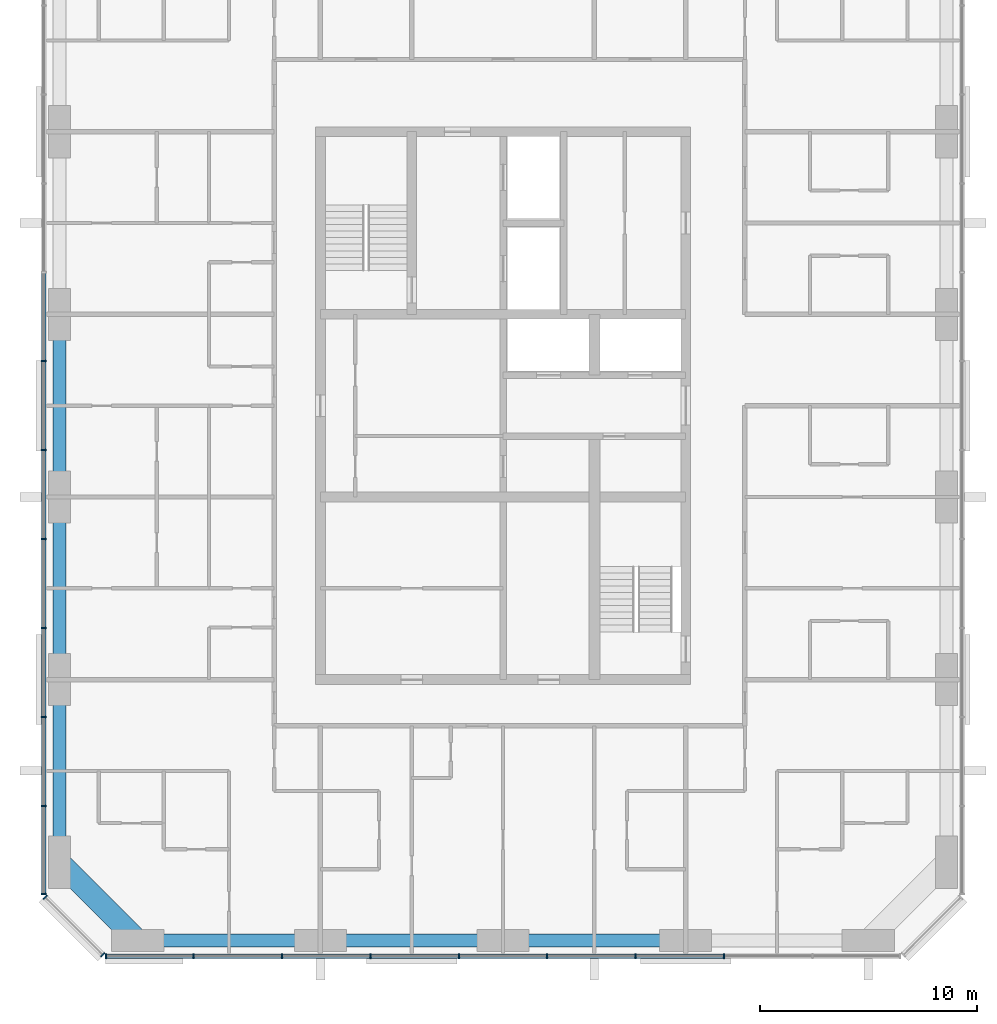
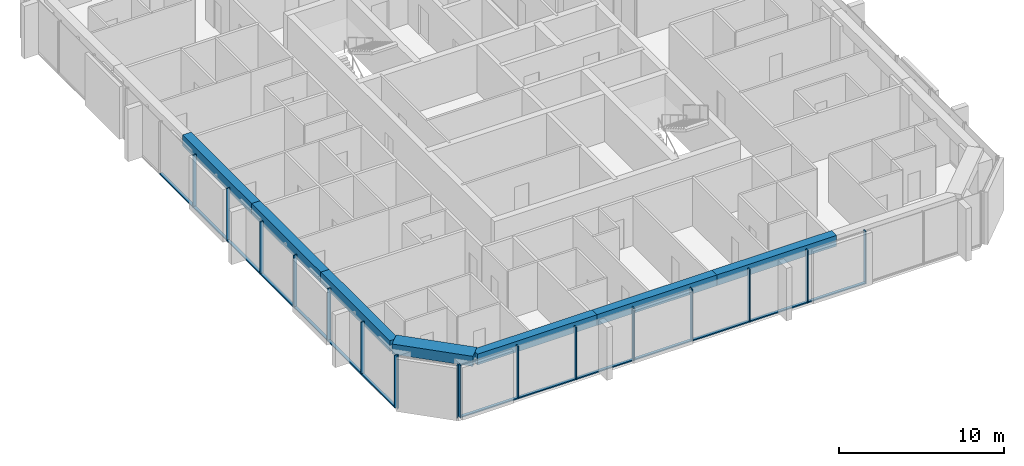
# One storey, part 2 of 12: 31 members, 7 beams, 3 elements without a shape of their own.
"""IFC4 building model written with IfcOpenShell, lengths in metres."""

from ifc_helpers import new_model, si_unit, direction, frame, origin, origin_2d, place, context, subcontext, project, spatial, rectangle, extrude, material, material_profile, profile_set, type_object, element, aggregate, save


model = new_model("IFC4")

# Units and contexts
model_context = context("Model", 3, precision=1e-05, world=origin(), true_north=direction((0.0, 1.0)))
body_context = subcontext(model_context, "Body", "Model", "MODEL_VIEW")
ifc_project = project(units=[si_unit("LENGTHUNIT", "METRE"), si_unit("AREAUNIT", "SQUARE_METRE"), si_unit("VOLUMEUNIT", "CUBIC_METRE"), si_unit("PLANEANGLEUNIT", "RADIAN"), si_unit("MASSUNIT", "GRAM", prefix="KILO")], contexts=[model_context])

# Site, building, storey
site_placement = place(None, origin())
site = spatial("IfcSite", under=ifc_project, at=site_placement, CompositionType="ELEMENT")
building_placement = place(site_placement, origin())
building = spatial("IfcBuilding", under=site, at=building_placement, Name="Dunama Terrace Hotel", CompositionType="ELEMENT")
storey_placement = place(building_placement, frame((0.0, 0.0, 260.699951171875)))
storey = spatial("IfcBuildingStorey", under=building, at=storey_placement, Name="L67", CompositionType="ELEMENT", Elevation=260.699951171875)

# Curtain wall, members
ifc_material_1 = material(Name="Aluminium curtain wall system", Category="aluminium")
curtain_wall_type = type_object("IfcCurtainWallType", Name="Unitised fritted glass wall CW-D", PredefinedType="NOTDEFINED", material=ifc_material_1)
curtain_wall_1_placement = place(storey_placement, origin())
curtain_wall_1 = element("IfcCurtainWall", 1, at=curtain_wall_1_placement, inside=storey, type_object=curtain_wall_type, Name="Unitised fritted glass wall CW-D L67", PredefinedType="NOTDEFINED")
ifc_material_2 = material(Name="Aluminium mullion", Category="aluminium")
ifc_material_profile_1 = material_profile(ifc_material_2, rectangle(XDim=0.070068359375, YDim=0.239990234375, at=origin_2d()), Name="CWD MULLION 70X240")
ifc_profile_set_1 = profile_set([ifc_material_profile_1], Name="Aluminium mullion")
member_type_1 = type_object("IfcMemberType", Name="CWD mullion 70x240", PredefinedType="MULLION", material=ifc_profile_set_1)
member_1_placement = place(storey_placement, frame((15.3349609375, 4.080078125, 0.0), z_axis=(0.0, 0.0, 1.0), x_axis=(1.0, 0.0, 0.0)))
member_1 = element("IfcMember", 2, at=member_1_placement, type_object=member_type_1, Name="CWD mullion", PredefinedType="MULLION", context=body_context, shape_type="SweptSolid", body=[
    extrude(rectangle(XDim=0.070068359375, YDim=0.239990234375, at=origin_2d()), origin(), (0.0, 0.0, 1.0), 3.900146484375),
])
member_2_placement = place(storey_placement, frame((19.366943359375, 4.080078125, 0.0), z_axis=(0.0, 0.0, 1.0), x_axis=(1.0, 0.0, 0.0)))
member_2 = element("IfcMember", 3, at=member_2_placement, type_object=member_type_1, Name="CWD mullion", PredefinedType="MULLION", context=body_context, shape_type="SweptSolid", body=[
    extrude(rectangle(XDim=0.070068359375, YDim=0.239990234375, at=origin_2d()), origin(), (0.0, 0.0, 1.0), 3.900146484375),
])
member_3_placement = place(storey_placement, frame((23.43310546875, 4.080078125, 0.0), z_axis=(0.0, 0.0, 1.0), x_axis=(1.0, 0.0, 0.0)))
member_3 = element("IfcMember", 4, at=member_3_placement, type_object=member_type_1, Name="CWD mullion", PredefinedType="MULLION", context=body_context, shape_type="SweptSolid", body=[
    extrude(rectangle(XDim=0.070068359375, YDim=0.239990234375, at=origin_2d()), origin(), (0.0, 0.0, 1.0), 3.900146484375),
])
member_4_placement = place(storey_placement, frame((27.5, 4.080078125, 0.0), z_axis=(0.0, 0.0, 1.0), x_axis=(1.0, 0.0, 0.0)))
member_4 = element("IfcMember", 5, at=member_4_placement, type_object=member_type_1, Name="CWD mullion", PredefinedType="MULLION", context=body_context, shape_type="SweptSolid", body=[
    extrude(rectangle(XDim=0.070068359375, YDim=0.239990234375, at=origin_2d()), origin(), (0.0, 0.0, 1.0), 3.900146484375),
])
member_5_placement = place(storey_placement, frame((31.56689453125, 4.080078125, 0.0), z_axis=(0.0, 0.0, 1.0), x_axis=(1.0, 0.0, 0.0)))
member_5 = element("IfcMember", 6, at=member_5_placement, type_object=member_type_1, Name="CWD mullion", PredefinedType="MULLION", context=body_context, shape_type="SweptSolid", body=[
    extrude(rectangle(XDim=0.070068359375, YDim=0.239990234375, at=origin_2d()), origin(), (0.0, 0.0, 1.0), 3.900146484375),
])
member_6_placement = place(storey_placement, frame((35.633056640625, 4.080078125, 0.0), z_axis=(0.0, 0.0, 1.0), x_axis=(1.0, 0.0, 0.0)))
member_6 = element("IfcMember", 7, at=member_6_placement, type_object=member_type_1, Name="CWD mullion", PredefinedType="MULLION", context=body_context, shape_type="SweptSolid", body=[
    extrude(rectangle(XDim=0.070068359375, YDim=0.239990234375, at=origin_2d()), origin(), (0.0, 0.0, 1.0), 3.900146484375),
])
member_7_placement = place(storey_placement, frame((39.699951171875, 4.080078125, 0.0), z_axis=(0.0, 0.0, 1.0), x_axis=(1.0, 0.0, 0.0)))
member_7 = element("IfcMember", 8, at=member_7_placement, type_object=member_type_1, Name="CWD mullion", PredefinedType="MULLION", context=body_context, shape_type="SweptSolid", body=[
    extrude(rectangle(XDim=0.070068359375, YDim=0.239990234375, at=origin_2d()), origin(), (0.0, 0.0, 1.0), 3.900146484375),
])
member_8_placement = place(storey_placement, frame((43.76708984375, 4.080078125, 0.0), z_axis=(0.0, 0.0, 1.0), x_axis=(1.0, 0.0, 0.0)))
member_8 = element("IfcMember", 9, at=member_8_placement, type_object=member_type_1, Name="CWD mullion", PredefinedType="MULLION", context=body_context, shape_type="SweptSolid", body=[
    extrude(rectangle(XDim=0.070068359375, YDim=0.239990234375, at=origin_2d()), origin(), (0.0, 0.0, 1.0), 3.900146484375),
])

curtain_wall_2_placement = place(storey_placement, origin())
curtain_wall_2 = element("IfcCurtainWall", 10, at=curtain_wall_2_placement, inside=storey, type_object=curtain_wall_type, Name="Unitised fritted glass wall CW-D L67", PredefinedType="NOTDEFINED")
member_9_placement = place(storey_placement, frame((12.47998046875, 31.445068359375, 0.0), z_axis=(0.0, 0.0, 1.0), x_axis=(0.0, -1.0, 0.0)))
member_9 = element("IfcMember", 11, at=member_9_placement, type_object=member_type_1, Name="CWD mullion", PredefinedType="MULLION", context=body_context, shape_type="SweptSolid", body=[
    extrude(rectangle(XDim=0.070068359375, YDim=0.239990234375, at=origin_2d()), origin(), (0.0, 0.0, 1.0), 3.900146484375),
])
member_10_placement = place(storey_placement, frame((12.47998046875, 27.35498046875, 0.0), z_axis=(0.0, 0.0, 1.0), x_axis=(0.0, -1.0, 0.0)))
member_10 = element("IfcMember", 12, at=member_10_placement, type_object=member_type_1, Name="CWD mullion", PredefinedType="MULLION", context=body_context, shape_type="SweptSolid", body=[
    extrude(rectangle(XDim=0.070068359375, YDim=0.239990234375, at=origin_2d()), origin(), (0.0, 0.0, 1.0), 3.900146484375),
])
member_11_placement = place(storey_placement, frame((12.47998046875, 23.263916015625, 0.0), z_axis=(0.0, 0.0, 1.0), x_axis=(0.0, -1.0, 0.0)))
member_11 = element("IfcMember", 13, at=member_11_placement, type_object=member_type_1, Name="CWD mullion", PredefinedType="MULLION", context=body_context, shape_type="SweptSolid", body=[
    extrude(rectangle(XDim=0.070068359375, YDim=0.239990234375, at=origin_2d()), origin(), (0.0, 0.0, 1.0), 3.900146484375),
])
member_12_placement = place(storey_placement, frame((12.47998046875, 19.173095703125, 0.0), z_axis=(0.0, 0.0, 1.0), x_axis=(0.0, -1.0, 0.0)))
member_12 = element("IfcMember", 14, at=member_12_placement, type_object=member_type_1, Name="CWD mullion", PredefinedType="MULLION", context=body_context, shape_type="SweptSolid", body=[
    extrude(rectangle(XDim=0.070068359375, YDim=0.239990234375, at=origin_2d()), origin(), (0.0, 0.0, 1.0), 3.900146484375),
])
member_13_placement = place(storey_placement, frame((12.47998046875, 15.08203125, 0.0), z_axis=(0.0, 0.0, 1.0), x_axis=(0.0, -1.0, 0.0)))
member_13 = element("IfcMember", 15, at=member_13_placement, type_object=member_type_1, Name="CWD mullion", PredefinedType="MULLION", context=body_context, shape_type="SweptSolid", body=[
    extrude(rectangle(XDim=0.070068359375, YDim=0.239990234375, at=origin_2d()), origin(), (0.0, 0.0, 1.0), 3.900146484375),
])
member_14_placement = place(storey_placement, frame((12.47998046875, 10.990966796875, 0.0), z_axis=(0.0, 0.0, 1.0), x_axis=(0.0, -1.0, 0.0)))
member_14 = element("IfcMember", 16, at=member_14_placement, type_object=member_type_1, Name="CWD mullion", PredefinedType="MULLION", context=body_context, shape_type="SweptSolid", body=[
    extrude(rectangle(XDim=0.070068359375, YDim=0.239990234375, at=origin_2d()), origin(), (0.0, 0.0, 1.0), 3.900146484375),
])
member_15_placement = place(storey_placement, frame((12.47998046875, 6.93505859375, 0.0), z_axis=(0.0, 0.0, 1.0), x_axis=(0.0, -1.0, 0.0)))
member_15 = element("IfcMember", 17, at=member_15_placement, type_object=member_type_1, Name="CWD mullion", PredefinedType="MULLION", context=body_context, shape_type="SweptSolid", body=[
    extrude(rectangle(XDim=0.070068359375, YDim=0.239990234375, at=origin_2d()), origin(), (0.0, 0.0, 1.0), 3.900146484375),
])

curtain_wall_3_placement = place(storey_placement, origin())
curtain_wall_3 = element("IfcCurtainWall", 18, at=curtain_wall_3_placement, inside=storey, type_object=curtain_wall_type, Name="Unitised fritted glass wall CW-D L67", PredefinedType="NOTDEFINED")
member_16_placement = place(storey_placement, frame((12.5400390625, 6.7900390625, 0.0), z_axis=(0.0, 0.0, 1.0), x_axis=(0.707106781187, -0.707106781187, 0.0)))
member_16 = element("IfcMember", 19, at=member_16_placement, type_object=member_type_1, Name="CWD mullion", PredefinedType="MULLION", context=body_context, shape_type="SweptSolid", body=[
    extrude(rectangle(XDim=0.070068359375, YDim=0.239990234375, at=origin_2d()), origin(), (0.0, 0.0, 1.0), 3.900146484375),
])
member_17_placement = place(storey_placement, frame((15.18994140625, 4.139892578125, 0.0), z_axis=(0.0, 0.0, 1.0), x_axis=(0.707106781187, -0.707106781187, 0.0)))
member_17 = element("IfcMember", 20, at=member_17_placement, type_object=member_type_1, Name="CWD mullion", PredefinedType="MULLION", context=body_context, shape_type="SweptSolid", body=[
    extrude(rectangle(XDim=0.070068359375, YDim=0.239990234375, at=origin_2d()), origin(), (0.0, 0.0, 1.0), 3.900146484375),
])
aggregate(curtain_wall_3, [member_16, member_17])

# Member
ifc_material_3 = material(Name="Aluminium transom", Category="aluminium")
ifc_material_profile_2 = material_profile(ifc_material_3, rectangle(XDim=0.199951171875, YDim=0.0849609375, at=origin_2d()), Name="CWD TRANSOM 200X85")
ifc_profile_set_2 = profile_set([ifc_material_profile_2], Name="Aluminium transom")
member_type_2 = type_object("IfcMemberType", Name="CWD transom 200x85", PredefinedType="USERDEFINED", material=ifc_profile_set_2)
member_18_placement = place(storey_placement, frame((15.3701171875, 4.080078125, 0.04248046875), z_axis=(1.0, 0.0, 0.0), x_axis=(0.0, 1.0, 0.0)))
member_18 = element("IfcMember", 21, at=member_18_placement, type_object=member_type_2, Name="CWD transom", ObjectType="TRANSOM", PredefinedType="USERDEFINED", context=body_context, shape_type="SweptSolid", body=[
    extrude(rectangle(XDim=0.199951171875, YDim=0.0849609375, at=origin_2d()), origin(), (0.0, 0.0, 1.0), 3.9619140625),
])

member_19_placement = place(storey_placement, frame((19.402099609375, 4.080078125, 0.04248046875), z_axis=(1.0, 0.0, 0.0), x_axis=(0.0, 1.0, 0.0)))
member_19 = element("IfcMember", 22, at=member_19_placement, type_object=member_type_2, Name="CWD transom", ObjectType="TRANSOM", PredefinedType="USERDEFINED", context=body_context, shape_type="SweptSolid", body=[
    extrude(rectangle(XDim=0.199951171875, YDim=0.0849609375, at=origin_2d()), origin(), (0.0, 0.0, 1.0), 3.995849609375),
])

member_20_placement = place(storey_placement, frame((23.468017578125, 4.080078125, 0.04248046875), z_axis=(1.0, 0.0, 0.0), x_axis=(0.0, 1.0, 0.0)))
member_20 = element("IfcMember", 23, at=member_20_placement, type_object=member_type_2, Name="CWD transom", ObjectType="TRANSOM", PredefinedType="USERDEFINED", context=body_context, shape_type="SweptSolid", body=[
    extrude(rectangle(XDim=0.199951171875, YDim=0.0849609375, at=origin_2d()), origin(), (0.0, 0.0, 1.0), 3.9970703125),
])

member_21_placement = place(storey_placement, frame((27.534912109375, 4.080078125, 0.04248046875), z_axis=(1.0, 0.0, 0.0), x_axis=(0.0, 1.0, 0.0)))
member_21 = element("IfcMember", 24, at=member_21_placement, type_object=member_type_2, Name="CWD transom", ObjectType="TRANSOM", PredefinedType="USERDEFINED", context=body_context, shape_type="SweptSolid", body=[
    extrude(rectangle(XDim=0.199951171875, YDim=0.0849609375, at=origin_2d()), origin(), (0.0, 0.0, 1.0), 3.9970703125),
])

member_22_placement = place(storey_placement, frame((31.60205078125, 4.080078125, 0.04248046875), z_axis=(1.0, 0.0, 0.0), x_axis=(0.0, 1.0, 0.0)))
member_22 = element("IfcMember", 25, at=member_22_placement, type_object=member_type_2, Name="CWD transom", ObjectType="TRANSOM", PredefinedType="USERDEFINED", context=body_context, shape_type="SweptSolid", body=[
    extrude(rectangle(XDim=0.199951171875, YDim=0.0849609375, at=origin_2d()), origin(), (0.0, 0.0, 1.0), 3.995849609375),
])

member_23_placement = place(storey_placement, frame((35.66796875, 4.080078125, 0.04248046875), z_axis=(1.0, 0.0, 0.0), x_axis=(0.0, 1.0, 0.0)))
member_23 = element("IfcMember", 26, at=member_23_placement, type_object=member_type_2, Name="CWD transom", ObjectType="TRANSOM", PredefinedType="USERDEFINED", context=body_context, shape_type="SweptSolid", body=[
    extrude(rectangle(XDim=0.199951171875, YDim=0.0849609375, at=origin_2d()), origin(), (0.0, 0.0, 1.0), 3.9970703125),
])

member_24_placement = place(storey_placement, frame((39.735107421875, 4.080078125, 0.04248046875), z_axis=(1.0, 0.0, 0.0), x_axis=(0.0, 1.0, 0.0)))
member_24 = element("IfcMember", 27, at=member_24_placement, type_object=member_type_2, Name="CWD transom", ObjectType="TRANSOM", PredefinedType="USERDEFINED", context=body_context, shape_type="SweptSolid", body=[
    extrude(rectangle(XDim=0.199951171875, YDim=0.0849609375, at=origin_2d()), origin(), (0.0, 0.0, 1.0), 3.996826171875),
])

aggregate(curtain_wall_1, [member_1, member_2, member_3, member_4, member_5, member_6, member_7, member_8, member_18, member_19, member_20, member_21, member_22, member_23, member_24])

member_25_placement = place(storey_placement, frame((12.47998046875, 35.5009765625, 0.04248046875), z_axis=(0.0, -1.0, 0.0), x_axis=(1.0, 0.0, 0.0)))
member_25 = element("IfcMember", 28, at=member_25_placement, type_object=member_type_2, Name="CWD transom", ObjectType="TRANSOM", PredefinedType="USERDEFINED", context=body_context, shape_type="SweptSolid", body=[
    extrude(rectangle(XDim=0.199951171875, YDim=0.0849609375, at=origin_2d()), origin(), (0.0, 0.0, 1.0), 4.02099609375),
])

member_26_placement = place(storey_placement, frame((12.47998046875, 31.409912109375, 0.04248046875), z_axis=(0.0, -1.0, 0.0), x_axis=(1.0, 0.0, 0.0)))
member_26 = element("IfcMember", 29, at=member_26_placement, type_object=member_type_2, Name="CWD transom", ObjectType="TRANSOM", PredefinedType="USERDEFINED", context=body_context, shape_type="SweptSolid", body=[
    extrude(rectangle(XDim=0.199951171875, YDim=0.0849609375, at=origin_2d()), origin(), (0.0, 0.0, 1.0), 4.02001953125),
])

member_27_placement = place(storey_placement, frame((12.47998046875, 27.320068359375, 0.04248046875), z_axis=(0.0, -1.0, 0.0), x_axis=(1.0, 0.0, 0.0)))
member_27 = element("IfcMember", 30, at=member_27_placement, type_object=member_type_2, Name="CWD transom", ObjectType="TRANSOM", PredefinedType="USERDEFINED", context=body_context, shape_type="SweptSolid", body=[
    extrude(rectangle(XDim=0.199951171875, YDim=0.0849609375, at=origin_2d()), origin(), (0.0, 0.0, 1.0), 4.02099609375),
])

member_28_placement = place(storey_placement, frame((12.47998046875, 23.22900390625, 0.04248046875), z_axis=(0.0, -1.0, 0.0), x_axis=(1.0, 0.0, 0.0)))
member_28 = element("IfcMember", 31, at=member_28_placement, type_object=member_type_2, Name="CWD transom", ObjectType="TRANSOM", PredefinedType="USERDEFINED", context=body_context, shape_type="SweptSolid", body=[
    extrude(rectangle(XDim=0.199951171875, YDim=0.0849609375, at=origin_2d()), origin(), (0.0, 0.0, 1.0), 4.02099609375),
])

member_29_placement = place(storey_placement, frame((12.47998046875, 19.137939453125, 0.04248046875), z_axis=(0.0, -1.0, 0.0), x_axis=(1.0, 0.0, 0.0)))
member_29 = element("IfcMember", 32, at=member_29_placement, type_object=member_type_2, Name="CWD transom", ObjectType="TRANSOM", PredefinedType="USERDEFINED", context=body_context, shape_type="SweptSolid", body=[
    extrude(rectangle(XDim=0.199951171875, YDim=0.0849609375, at=origin_2d()), origin(), (0.0, 0.0, 1.0), 4.02099609375),
])

member_30_placement = place(storey_placement, frame((12.47998046875, 15.047119140625, 0.04248046875), z_axis=(0.0, -1.0, 0.0), x_axis=(1.0, 0.0, 0.0)))
member_30 = element("IfcMember", 33, at=member_30_placement, type_object=member_type_2, Name="CWD transom", ObjectType="TRANSOM", PredefinedType="USERDEFINED", context=body_context, shape_type="SweptSolid", body=[
    extrude(rectangle(XDim=0.199951171875, YDim=0.0849609375, at=origin_2d()), origin(), (0.0, 0.0, 1.0), 4.021240234375),
])

member_31_placement = place(storey_placement, frame((12.47998046875, 10.9560546875, 0.04248046875), z_axis=(0.0, -1.0, 0.0), x_axis=(1.0, 0.0, 0.0)))
member_31 = element("IfcMember", 34, at=member_31_placement, type_object=member_type_2, Name="CWD transom", ObjectType="TRANSOM", PredefinedType="USERDEFINED", context=body_context, shape_type="SweptSolid", body=[
    extrude(rectangle(XDim=0.199951171875, YDim=0.0849609375, at=origin_2d()), origin(), (0.0, 0.0, 1.0), 3.986083984375),
])

aggregate(curtain_wall_2, [member_9, member_10, member_11, member_12, member_13, member_14, member_15, member_25, member_26, member_27, member_28, member_29, member_30, member_31])

# Beams
ifc_material_4 = material(Name="Concrete C50/60", Category="concrete")
ifc_material_profile_3 = material_profile(ifc_material_4, rectangle(XDim=1.0, YDim=0.75, at=origin_2d()), Name="RC 1000x750")
ifc_profile_set_3 = profile_set([ifc_material_profile_3], Name="Concrete C50/60")
beam_type_1 = type_object("IfcBeamType", Name="Edge beam RC 1000x750", PredefinedType="SPANDREL", material=ifc_profile_set_3)
beam_1_placement = place(storey_placement, frame((16.800048828125, 4.800048828125, 3.525146484375), z_axis=(-0.707130757816, 0.707082803744, 0.0), x_axis=(-0.707082803744, -0.707130757816, 0.0)))
element("IfcBeam", 35, at=beam_1_placement, inside=storey, type_object=beam_type_1, Name="Corner edge beam under L68", PredefinedType="SPANDREL", context=body_context, shape_type="SweptSolid", body=[
    extrude(rectangle(XDim=1.0, YDim=0.75, at=origin_2d()), origin(), (0.0, 0.0, 1.0), 5.091064453125),
])
ifc_material_5 = material(Name="Concrete C40/50", Category="concrete")
ifc_material_profile_4 = material_profile(ifc_material_5, rectangle(XDim=0.60009765625, YDim=0.800048828125, at=origin_2d()), Name="RC 600x800")
ifc_profile_set_4 = profile_set([ifc_material_profile_4], Name="Concrete C40/50")
beam_type_2 = type_object("IfcBeamType", Name="Edge beam RC 600x800", PredefinedType="SPANDREL", material=ifc_profile_set_4)
beam_2_placement = place(storey_placement, frame((13.199951171875, 8.39990234375, 3.5), z_axis=(0.0, 1.0, 0.0), x_axis=(-1.0, 0.0, 0.0)))
element("IfcBeam", 36, at=beam_2_placement, inside=storey, type_object=beam_type_2, Name="Edge beam under L68", PredefinedType="SPANDREL", context=body_context, shape_type="SweptSolid", body=[
    extrude(rectangle(XDim=0.60009765625, YDim=0.800048828125, at=origin_2d()), origin(), (0.0, 0.0, 1.0), 8.400146484375),
])
beam_3_placement = place(storey_placement, frame((13.199951171875, 16.800048828125, 3.5), z_axis=(0.0, 1.0, 0.0), x_axis=(-1.0, 0.0, 0.0)))
element("IfcBeam", 37, at=beam_3_placement, inside=storey, type_object=beam_type_2, Name="Edge beam under L68", PredefinedType="SPANDREL", context=body_context, shape_type="SweptSolid", body=[
    extrude(rectangle(XDim=0.60009765625, YDim=0.800048828125, at=origin_2d()), origin(), (0.0, 0.0, 1.0), 8.39990234375),
])
beam_4_placement = place(storey_placement, frame((13.199951171875, 25.199951171875, 3.5), z_axis=(0.0, 1.0, 0.0), x_axis=(-1.0, 0.0, 0.0)))
element("IfcBeam", 38, at=beam_4_placement, inside=storey, type_object=beam_type_2, Name="Edge beam under L68", PredefinedType="SPANDREL", context=body_context, shape_type="SweptSolid", body=[
    extrude(rectangle(XDim=0.60009765625, YDim=0.800048828125, at=origin_2d()), origin(), (0.0, 0.0, 1.0), 8.400146484375),
])
beam_5_placement = place(storey_placement, frame((16.800048828125, 4.800048828125, 3.5), z_axis=(1.0, 0.0, 0.0), x_axis=(0.0, 1.0, 0.0)))
element("IfcBeam", 39, at=beam_5_placement, inside=storey, type_object=beam_type_2, Name="Edge beam under L68", PredefinedType="SPANDREL", context=body_context, shape_type="SweptSolid", body=[
    extrude(rectangle(XDim=0.60009765625, YDim=0.800048828125, at=origin_2d()), origin(), (0.0, 0.0, 1.0), 8.39990234375),
])
beam_6_placement = place(storey_placement, frame((25.199951171875, 4.800048828125, 3.5), z_axis=(1.0, 0.0, 0.0), x_axis=(0.0, 1.0, 0.0)))
element("IfcBeam", 40, at=beam_6_placement, inside=storey, type_object=beam_type_2, Name="Edge beam under L68", PredefinedType="SPANDREL", context=body_context, shape_type="SweptSolid", body=[
    extrude(rectangle(XDim=0.60009765625, YDim=0.800048828125, at=origin_2d()), origin(), (0.0, 0.0, 1.0), 8.400146484375),
])
beam_7_placement = place(storey_placement, frame((33.60009765625, 4.800048828125, 3.5), z_axis=(1.0, 0.0, 0.0), x_axis=(0.0, 1.0, 0.0)))
element("IfcBeam", 41, at=beam_7_placement, inside=storey, type_object=beam_type_2, Name="Edge beam under L68", PredefinedType="SPANDREL", context=body_context, shape_type="SweptSolid", body=[
    extrude(rectangle(XDim=0.60009765625, YDim=0.800048828125, at=origin_2d()), origin(), (0.0, 0.0, 1.0), 8.39990234375),
])

save(model, "model.ifc")
